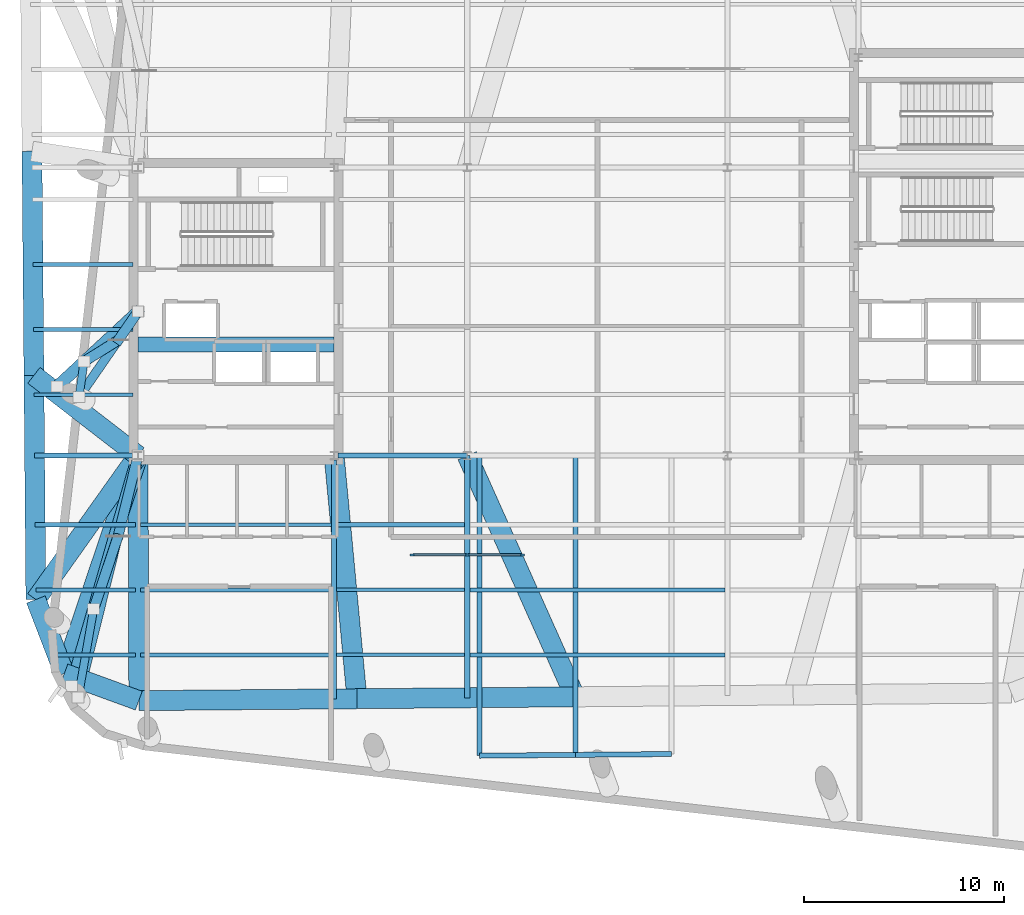
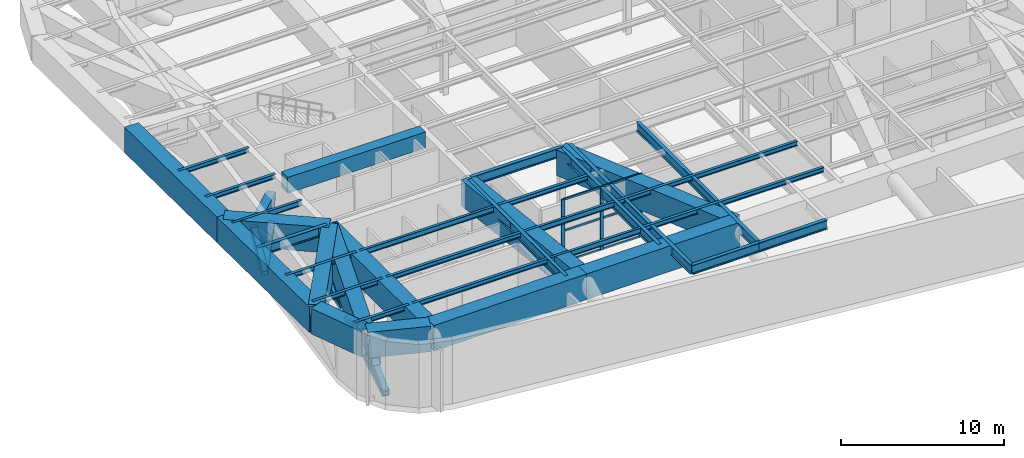
# One storey, part 3 of 12: 35 beams, 19 members, 1 element without a shape of its own.
"""IFC4 building model written with IfcOpenShell, lengths in metres."""

from ifc_helpers import new_model, si_unit, direction, frame, origin, origin_2d, place, context, subcontext, project, spatial, rectangle, hollow_rectangle, hollow_circle, i_section, extrude, material, material_profile, profile_set, type_object, element, aggregate, save


model = new_model("IFC4")

# Units and contexts
model_context = context("Model", 3, precision=1e-05, world=origin(), true_north=direction((0.0, 1.0)))
body_context = subcontext(model_context, "Body", "Model", "MODEL_VIEW")
ifc_project = project(units=[si_unit("LENGTHUNIT", "METRE"), si_unit("AREAUNIT", "SQUARE_METRE"), si_unit("VOLUMEUNIT", "CUBIC_METRE"), si_unit("PLANEANGLEUNIT", "RADIAN"), si_unit("MASSUNIT", "GRAM", prefix="KILO")], contexts=[model_context])

# Site, building, storey
site_placement = place(None, origin())
site = spatial("IfcSite", under=ifc_project, at=site_placement, CompositionType="ELEMENT")
building_placement = place(site_placement, origin())
building = spatial("IfcBuilding", under=site, at=building_placement, Name="Kolvaren Arena Tower", CompositionType="ELEMENT")
storey_placement = place(building_placement, frame((0.0, 0.0, 269.699951171875)))
storey = spatial("IfcBuildingStorey", under=building, at=storey_placement, Name="L66", CompositionType="ELEMENT", Elevation=269.699951171875)

# Beams
ifc_material_1 = material(Name="Steel CSA G40.21 350W", Category="steel")
ifc_material_profile_1 = material_profile(ifc_material_1, i_section(OverallWidth=0.180908203125, OverallDepth=0.4169921875, WebThickness=0.010986328125, FlangeThickness=0.018310546875, FilletRadius=0.011962890625, at=origin_2d()), Name="W410x85")
ifc_profile_set_1 = profile_set([ifc_material_profile_1], Name="Steel CSA G40.21 350W")
beam_type_1 = type_object("IfcBeamType", Name="BEAM-F3", PredefinedType="BEAM", material=ifc_profile_set_1)
for number, where, z_axis, x_axis, name in (
    (1, (24.4775390625, 9.5, 4.54150390625), (1.0, 0.0, 0.0), (0.0, 1.0, 0.0), "Composite Floor Beam (L66)"),
    (2, (24.4775390625, 12.75, 4.54150390625), (1.0, 0.0, 0.0), (0.0, 1.0, 0.0), "Composite Floor Beam (L66)"),
):
    element("IfcBeam", number, at=place(storey_placement, frame(where, z_axis=z_axis, x_axis=x_axis)), inside=storey, type_object=beam_type_1, Name=name, PredefinedType="BEAM", context=body_context, shape_type="SweptSolid", body=[
        extrude(i_section(OverallWidth=0.180908203125, OverallDepth=0.4169921875, WebThickness=0.010986328125, FlangeThickness=0.018310546875, FilletRadius=0.011962890625, at=origin_2d()), origin(), (0.0, 0.0, 1.0), 6.39501953125),
    ])
beam_1_placement = place(storey_placement, frame((14.677490234375, 16.0, 4.54150390625), z_axis=(1.0, 0.0, 0.0), x_axis=(0.0, 1.0, 0.0)))
element("IfcBeam", 3, at=beam_1_placement, inside=storey, type_object=beam_type_1, Name="Composite Floor Beam (L66)", PredefinedType="BEAM", context=body_context, shape_type="SweptSolid", body=[
    extrude(i_section(OverallWidth=0.180908203125, OverallDepth=0.4169921875, WebThickness=0.010986328125, FlangeThickness=0.018310546875, FilletRadius=0.011962890625, at=origin_2d()), origin(), (0.0, 0.0, 1.0), 9.544921875),
])
beam_2_placement = place(storey_placement, frame((9.3583984375, 22.5, 4.54150390625), z_axis=(1.0, 0.0, 0.0), x_axis=(0.0, 1.0, 0.0)))
element("IfcBeam", 4, at=beam_2_placement, inside=storey, type_object=beam_type_1, Name="Composite Floor Beam (L66)", PredefinedType="BEAM", context=body_context, shape_type="SweptSolid", body=[
    extrude(i_section(OverallWidth=0.180908203125, OverallDepth=0.4169921875, WebThickness=0.010986328125, FlangeThickness=0.018310546875, FilletRadius=0.011962890625, at=origin_2d()), origin(), (0.0, 0.0, 1.0), 4.946533203125),
])

# Members
ifc_material_2 = material(Name="Steel CSA G40.21 350WT", Category="steel")
ifc_material_profile_2 = material_profile(ifc_material_2, hollow_rectangle(XDim=0.449951171875, YDim=0.449951171875, WallThickness=0.02001953125, at=origin_2d()), Name="HSS 450x450x20")
ifc_profile_set_2 = profile_set([ifc_material_profile_2], Name="Steel CSA G40.21 350WT")
member_type_1 = type_object("IfcMemberType", Name="BELT-CHORD", PredefinedType="CHORD", material=ifc_profile_set_2)
member_1_placement = place(storey_placement, frame((14.550048828125, 19.449951171875, 0.35009765625), z_axis=(-0.240172582975, -0.970730204736, 0.0), x_axis=(0.970730204736, -0.240172582975, 0.0)))
element("IfcMember", 5, at=member_1_placement, inside=storey, type_object=member_type_1, Name="Belt Truss Bottom Chord 1 (L66)", PredefinedType="CHORD", context=body_context, shape_type="SweptSolid", body=[
    extrude(hollow_rectangle(XDim=0.449951171875, YDim=0.449951171875, WallThickness=0.02001953125, at=origin_2d()), origin(), (0.0, 0.0, 1.0), 12.450439453125),
])
member_2_placement = place(storey_placement, frame((14.550048828125, 26.64990234375, 0.35009765625), z_axis=(-0.568419713798, -0.82273873676, 0.0), x_axis=(0.82273873676, -0.568419713798, 0.0)))
element("IfcMember", 6, at=member_2_placement, inside=storey, type_object=member_type_1, Name="Belt Truss Bottom Chord 5 (L66)", PredefinedType="CHORD", context=body_context, shape_type="SweptSolid", body=[
    extrude(hollow_rectangle(XDim=0.449951171875, YDim=0.449951171875, WallThickness=0.02001953125, at=origin_2d()), origin(), (0.0, 0.0, 1.0), 5.190673828125),
])
ifc_material_profile_3 = material_profile(ifc_material_2, hollow_rectangle(XDim=0.39990234375, YDim=0.39990234375, WallThickness=0.01611328125, at=origin_2d()), Name="HSS 400x400x16")
ifc_profile_set_3 = profile_set([ifc_material_profile_3], Name="Steel CSA G40.21 350WT")
member_type_2 = type_object("IfcMemberType", Name="BELT-DIAG", PredefinedType="BRACE", material=ifc_profile_set_3)
member_3_placement = place(storey_placement, frame((12.334228515625, 11.78173828125, 2.47998046875), z_axis=(-0.155970890421, -0.8897519742, -0.428969119808), x_axis=(0.984980745857, -0.172664212537, 0.0)))
element("IfcMember", 7, at=member_3_placement, inside=storey, type_object=member_type_2, Name="Belt Truss Warren Diagonal C 1 (L66)", PredefinedType="BRACE", context=body_context, shape_type="SweptSolid", body=[
    extrude(hollow_rectangle(XDim=0.39990234375, YDim=0.39990234375, WallThickness=0.01611328125, at=origin_2d()), origin(), (0.0, 0.0, 1.0), 4.965087890625),
])
member_4_placement = place(storey_placement, frame((11.85693359375, 24.153564453125, 2.47998046875), z_axis=(-0.092431826141, -0.637288501485, -0.765061908209), x_axis=(0.989644904391, -0.143537323411, 0.0)))
element("IfcMember", 8, at=member_4_placement, inside=storey, type_object=member_type_2, Name="Belt Truss Warren Diagonal C 5 (L66)", PredefinedType="BRACE", context=body_context, shape_type="SweptSolid", body=[
    extrude(hollow_rectangle(XDim=0.39990234375, YDim=0.39990234375, WallThickness=0.01611328125, at=origin_2d()), origin(), (0.0, 0.0, 1.0), 2.783935546875),
])

# Beam
ifc_material_3 = material(Name="Concrete 60 MPa", Category="concrete")
ifc_material_profile_4 = material_profile(ifc_material_3, rectangle(XDim=0.75, YDim=1.199951171875, at=origin_2d()), Name="RC-750x1200")
ifc_profile_set_4 = profile_set([ifc_material_profile_4], Name="Concrete 60 MPa")
beam_type_2 = type_object("IfcBeamType", Name="CB-CORE-2", PredefinedType="BEAM", material=ifc_profile_set_4)
beam_3_placement = place(storey_placement, frame((14.550048828125, 25.0, 4.420166015625), z_axis=(1.0, 0.0, 0.0), x_axis=(0.0, 1.0, 0.0)))
element("IfcBeam", 9, at=beam_3_placement, inside=storey, type_object=beam_type_2, Name="West Core Coupling Beam (L66)", PredefinedType="BEAM", context=body_context, shape_type="SweptSolid", body=[
    extrude(rectangle(XDim=0.75, YDim=1.199951171875, at=origin_2d()), origin(), (0.0, 0.0, 1.0), 9.800048828125),
])

# Curtain wall, members
ifc_material_4 = material(Name="Anodised aluminium unitised curtain wall", Category="aluminium")
curtain_wall_type = type_object("IfcCurtainWallType", Name="CW-SYS-05", PredefinedType="USERDEFINED", material=ifc_material_4)
curtain_wall_placement = place(storey_placement, origin())
curtain_wall = element("IfcCurtainWall", 10, at=curtain_wall_placement, inside=storey, type_object=curtain_wall_type, Name="Mechanical Plant Louvre Curtain Wall (L66)", ObjectType="ACOUSTIC LOUVRE SCREEN", PredefinedType="USERDEFINED")
ifc_material_5 = material(Name="Anodised aluminium 6063-T6", Category="aluminium")
ifc_material_profile_5 = material_profile(ifc_material_5, rectangle(XDim=0.10009765625, YDim=0.239990234375, at=origin_2d()), Name="ALU-100x240")
ifc_profile_set_5 = profile_set([ifc_material_profile_5], Name="Anodised aluminium 6063-T6")
member_type_3 = type_object("IfcMemberType", Name="CWM-HVY", PredefinedType="MULLION", material=ifc_profile_set_5)
member_5_placement = place(storey_placement, frame((28.25, 14.5, 0.0), z_axis=(0.0, 0.0, 1.0), x_axis=(0.0, 1.0, 0.0)))
member_5 = element("IfcMember", 11, at=member_5_placement, type_object=member_type_3, Name="CW5 mullion 1", PredefinedType="MULLION", context=body_context, shape_type="SweptSolid", body=[
    extrude(rectangle(XDim=0.10009765625, YDim=0.239990234375, at=origin_2d()), origin(), (0.0, 0.0, 1.0), 4.75),
])
member_6_placement = place(storey_placement, frame((31.0, 14.5, 0.0), z_axis=(0.0, 0.0, 1.0), x_axis=(0.0, 1.0, 0.0)))
member_6 = element("IfcMember", 12, at=member_6_placement, type_object=member_type_3, Name="CW5 mullion 2", PredefinedType="MULLION", context=body_context, shape_type="SweptSolid", body=[
    extrude(rectangle(XDim=0.10009765625, YDim=0.239990234375, at=origin_2d()), origin(), (0.0, 0.0, 1.0), 4.75),
])
member_7_placement = place(storey_placement, frame((33.75, 14.5, 0.0), z_axis=(0.0, 0.0, 1.0), x_axis=(0.0, 1.0, 0.0)))
member_7 = element("IfcMember", 13, at=member_7_placement, type_object=member_type_3, Name="CW5 mullion 3", PredefinedType="MULLION", context=body_context, shape_type="SweptSolid", body=[
    extrude(rectangle(XDim=0.10009765625, YDim=0.239990234375, at=origin_2d()), origin(), (0.0, 0.0, 1.0), 4.75),
])
ifc_material_profile_6 = material_profile(ifc_material_5, rectangle(XDim=0.080078125, YDim=0.14990234375, at=origin_2d()), Name="ALU-80x150")
ifc_profile_set_6 = profile_set([ifc_material_profile_6], Name="Anodised aluminium 6063-T6")
member_type_4 = type_object("IfcMemberType", Name="CWT-STD", PredefinedType="USERDEFINED", material=ifc_profile_set_6)
member_8_placement = place(storey_placement, frame((28.300048828125, 14.5, 0.0400390625), z_axis=(1.0, 0.0, 0.0), x_axis=(0.0, 1.0, 0.0)))
member_8 = element("IfcMember", 14, at=member_8_placement, type_object=member_type_4, Name="CW5 transom 1.1", ObjectType="TRANSOM", PredefinedType="USERDEFINED", context=body_context, shape_type="SweptSolid", body=[
    extrude(rectangle(XDim=0.080078125, YDim=0.14990234375, at=origin_2d()), origin(), (0.0, 0.0, 1.0), 2.64990234375),
])
member_9_placement = place(storey_placement, frame((28.300048828125, 14.5, 2.375), z_axis=(1.0, 0.0, 0.0), x_axis=(0.0, 1.0, 0.0)))
member_9 = element("IfcMember", 15, at=member_9_placement, type_object=member_type_4, Name="CW5 transom 1.2", ObjectType="TRANSOM", PredefinedType="USERDEFINED", context=body_context, shape_type="SweptSolid", body=[
    extrude(rectangle(XDim=0.080078125, YDim=0.14990234375, at=origin_2d()), origin(), (0.0, 0.0, 1.0), 2.64990234375),
])
member_10_placement = place(storey_placement, frame((28.300048828125, 14.5, 4.7099609375), z_axis=(1.0, 0.0, 0.0), x_axis=(0.0, 1.0, 0.0)))
member_10 = element("IfcMember", 16, at=member_10_placement, type_object=member_type_4, Name="CW5 transom 1.3", ObjectType="TRANSOM", PredefinedType="USERDEFINED", context=body_context, shape_type="SweptSolid", body=[
    extrude(rectangle(XDim=0.080078125, YDim=0.14990234375, at=origin_2d()), origin(), (0.0, 0.0, 1.0), 2.64990234375),
])
member_11_placement = place(storey_placement, frame((31.050048828125, 14.5, 0.0400390625), z_axis=(1.0, 0.0, 0.0), x_axis=(0.0, 1.0, 0.0)))
member_11 = element("IfcMember", 17, at=member_11_placement, type_object=member_type_4, Name="CW5 transom 2.1", ObjectType="TRANSOM", PredefinedType="USERDEFINED", context=body_context, shape_type="SweptSolid", body=[
    extrude(rectangle(XDim=0.080078125, YDim=0.14990234375, at=origin_2d()), origin(), (0.0, 0.0, 1.0), 2.64990234375),
])
member_12_placement = place(storey_placement, frame((31.050048828125, 14.5, 2.375), z_axis=(1.0, 0.0, 0.0), x_axis=(0.0, 1.0, 0.0)))
member_12 = element("IfcMember", 18, at=member_12_placement, type_object=member_type_4, Name="CW5 transom 2.2", ObjectType="TRANSOM", PredefinedType="USERDEFINED", context=body_context, shape_type="SweptSolid", body=[
    extrude(rectangle(XDim=0.080078125, YDim=0.14990234375, at=origin_2d()), origin(), (0.0, 0.0, 1.0), 2.64990234375),
])
member_13_placement = place(storey_placement, frame((31.050048828125, 14.5, 4.7099609375), z_axis=(1.0, 0.0, 0.0), x_axis=(0.0, 1.0, 0.0)))
member_13 = element("IfcMember", 19, at=member_13_placement, type_object=member_type_4, Name="CW5 transom 2.3", ObjectType="TRANSOM", PredefinedType="USERDEFINED", context=body_context, shape_type="SweptSolid", body=[
    extrude(rectangle(XDim=0.080078125, YDim=0.14990234375, at=origin_2d()), origin(), (0.0, 0.0, 1.0), 2.64990234375),
])
aggregate(curtain_wall, [member_5, member_6, member_7, member_8, member_9, member_10, member_11, member_12, member_13])

# Members
ifc_material_profile_7 = material_profile(ifc_material_2, hollow_circle(Radius=0.25390625, WallThickness=0.02490234375, at=origin_2d()), Name="CHS 508x25")
ifc_profile_set_7 = profile_set([ifc_material_profile_7], Name="Steel CSA G40.21 350WT")
member_type_5 = type_object("IfcMemberType", Name="EXO-BRACE1", PredefinedType="BRACE", material=ifc_profile_set_7)
member_14_placement = place(storey_placement, frame((13.55322265625, 15.42138671875, 0.35009765625), z_axis=(-0.27769474052, -0.829135427933, 0.48520106475), x_axis=(0.948230731649, -0.317582240617, 0.0)))
element("IfcMember", 20, at=member_14_placement, inside=storey, type_object=member_type_5, Name="Outrigger Warren Diagonal B 1 (L66)", PredefinedType="BRACE", context=body_context, shape_type="SweptSolid", body=[
    extrude(hollow_circle(Radius=0.25390625, WallThickness=0.02490234375, at=origin_2d()), origin(), (0.0, 0.0, 1.0), 4.3896484375),
])
member_15_placement = place(storey_placement, frame((13.56640625, 25.2265625, 0.35009765625), z_axis=(-0.58258596603, -0.365676281163, 0.725861177898), x_axis=(0.531628910892, -0.846977391141, 0.0)))
element("IfcMember", 21, at=member_15_placement, inside=storey, type_object=member_type_5, Name="Outrigger Warren Diagonal B 5 (L66)", PredefinedType="BRACE", context=body_context, shape_type="SweptSolid", body=[
    extrude(hollow_circle(Radius=0.25390625, WallThickness=0.02490234375, at=origin_2d()), origin(), (0.0, 0.0, 1.0), 2.934326171875),
])

# Beams
ifc_material_profile_8 = material_profile(ifc_material_1, i_section(OverallWidth=0.2548828125, OverallDepth=0.695068359375, WebThickness=0.01708984375, FlangeThickness=0.02978515625, FilletRadius=0.01611328125, at=origin_2d()), Name="W690x217")
ifc_profile_set_8 = profile_set([ifc_material_profile_8], Name="Steel CSA G40.21 350W")
beam_type_3 = type_object("IfcBeamType", Name="GIRD-T2", PredefinedType="BEAM", material=ifc_profile_set_8)
beam_4_placement = place(storey_placement, frame((9.385009765625, 19.449951171875, 4.402587890625), z_axis=(1.0, 0.0, 0.0), x_axis=(0.0, 1.0, 0.0)))
element("IfcBeam", 22, at=beam_4_placement, inside=storey, type_object=beam_type_3, Name="Primary Floor Girder (L66)", PredefinedType="BEAM", context=body_context, shape_type="SweptSolid", body=[
    extrude(i_section(OverallWidth=0.2548828125, OverallDepth=0.695068359375, WebThickness=0.01708984375, FlangeThickness=0.02978515625, FilletRadius=0.01611328125, at=origin_2d()), origin(), (0.0, 0.0, 1.0), 4.9599609375),
])
beam_5_placement = place(storey_placement, frame((24.554931640625, 19.449951171875, 4.402587890625), z_axis=(1.0, 0.0, 0.0), x_axis=(0.0, 1.0, 0.0)))
element("IfcBeam", 23, at=beam_5_placement, inside=storey, type_object=beam_type_3, Name="Primary Floor Girder (L66)", PredefinedType="BEAM", context=body_context, shape_type="SweptSolid", body=[
    extrude(i_section(OverallWidth=0.2548828125, OverallDepth=0.695068359375, WebThickness=0.01708984375, FlangeThickness=0.02978515625, FilletRadius=0.01611328125, at=origin_2d()), origin(), (0.0, 0.0, 1.0), 6.445068359375),
])
beam_6_placement = place(storey_placement, frame((24.35009765625, 7.295654296875, 4.402587890625), z_axis=(0.0, 1.0, 0.0), x_axis=(-1.0, 0.0, 0.0)))
element("IfcBeam", 24, at=beam_6_placement, inside=storey, type_object=beam_type_3, Name="Primary Floor Girder (L66)", PredefinedType="BEAM", context=body_context, shape_type="SweptSolid", body=[
    extrude(i_section(OverallWidth=0.2548828125, OverallDepth=0.695068359375, WebThickness=0.01708984375, FlangeThickness=0.02978515625, FilletRadius=0.01611328125, at=origin_2d()), origin(), (0.0, 0.0, 1.0), 11.949462890625),
])
beam_7_placement = place(storey_placement, frame((31.0, 7.353759765625, 4.402587890625), z_axis=(0.0, 1.0, 0.0), x_axis=(-1.0, 0.0, 0.0)))
element("IfcBeam", 25, at=beam_7_placement, inside=storey, type_object=beam_type_3, Name="Primary Floor Girder (L66)", PredefinedType="BEAM", context=body_context, shape_type="SweptSolid", body=[
    extrude(i_section(OverallWidth=0.2548828125, OverallDepth=0.695068359375, WebThickness=0.01708984375, FlangeThickness=0.02978515625, FilletRadius=0.01611328125, at=origin_2d()), origin(), (0.0, 0.0, 1.0), 12.09619140625),
])
beam_8_placement = place(storey_placement, frame((31.61669921875, 19.449951171875, 4.402587890625), z_axis=(0.0, -1.0, 0.0), x_axis=(1.0, 0.0, 0.0)))
element("IfcBeam", 26, at=beam_8_placement, inside=storey, type_object=beam_type_3, Name="Terrace Cantilever Support Girder (L67)", PredefinedType="BEAM", context=body_context, shape_type="SweptSolid", body=[
    extrude(i_section(OverallWidth=0.2548828125, OverallDepth=0.695068359375, WebThickness=0.01708984375, FlangeThickness=0.02978515625, FilletRadius=0.01611328125, at=origin_2d()), origin(), (0.0, 0.0, 1.0), 14.990966796875),
])
beam_9_placement = place(storey_placement, frame((36.41650390625, 19.449951171875, 4.402587890625), z_axis=(0.0, -1.0, 0.0), x_axis=(1.0, 0.0, 0.0)))
element("IfcBeam", 27, at=beam_9_placement, inside=storey, type_object=beam_type_3, Name="Terrace Cantilever Support Girder (L67)", PredefinedType="BEAM", context=body_context, shape_type="SweptSolid", body=[
    extrude(i_section(OverallWidth=0.2548828125, OverallDepth=0.695068359375, WebThickness=0.01708984375, FlangeThickness=0.02978515625, FilletRadius=0.01611328125, at=origin_2d()), origin(), (0.0, 0.0, 1.0), 14.948974609375),
])
for number, where, z_axis, x_axis, name in (
    (28, (31.61669921875, 4.458984375, 4.402587890625), (0.999961732073, 0.008748393587, 0.0), (-0.008748393587, 0.999961732073, 0.0), "Terrace Edge Fascia Beam (L67)"),
    (29, (36.41650390625, 4.5009765625, 4.402587890625), (0.99996217573, 0.008697534692, 0.0), (-0.008697534692, 0.99996217573, 0.0), "Terrace Edge Fascia Beam (L67)"),
):
    element("IfcBeam", number, at=place(storey_placement, frame(where, z_axis=z_axis, x_axis=x_axis)), inside=storey, type_object=beam_type_3, Name=name, PredefinedType="BEAM", context=body_context, shape_type="SweptSolid", body=[
        extrude(i_section(OverallWidth=0.2548828125, OverallDepth=0.695068359375, WebThickness=0.01708984375, FlangeThickness=0.02978515625, FilletRadius=0.01611328125, at=origin_2d()), origin(), (0.0, 0.0, 1.0), 4.800048828125),
    ])
ifc_material_profile_9 = material_profile(ifc_material_1, i_section(OverallWidth=0.202880859375, OverallDepth=0.346923828125, WebThickness=0.0078125, FlangeThickness=0.013427734375, FilletRadius=0.010986328125, at=origin_2d()), Name="W360x64")
ifc_profile_set_9 = profile_set([ifc_material_profile_9], Name="Steel CSA G40.21 350W")
beam_type_4 = type_object("IfcBeamType", Name="JOIST-01", PredefinedType="JOIST", material=ifc_profile_set_9)
beam_10_placement = place(storey_placement, frame((10.5126953125, 9.5, 4.57666015625), z_axis=(1.0, 0.0, 0.0), x_axis=(0.0, 1.0, 0.0)))
element("IfcBeam", 30, at=beam_10_placement, inside=storey, type_object=beam_type_4, Name="Composite Floor Joist (L66)", PredefinedType="JOIST", context=body_context, shape_type="SweptSolid", body=[
    extrude(i_section(OverallWidth=0.202880859375, OverallDepth=0.346923828125, WebThickness=0.0078125, FlangeThickness=0.013427734375, FilletRadius=0.010986328125, at=origin_2d()), origin(), (0.0, 0.0, 1.0), 3.909912109375),
])
beam_11_placement = place(storey_placement, frame((14.677490234375, 9.5, 4.57666015625), z_axis=(1.0, 0.0, 0.0), x_axis=(0.0, 1.0, 0.0)))
element("IfcBeam", 31, at=beam_11_placement, inside=storey, type_object=beam_type_4, Name="Composite Floor Joist (L66)", PredefinedType="JOIST", context=body_context, shape_type="SweptSolid", body=[
    extrude(i_section(OverallWidth=0.202880859375, OverallDepth=0.346923828125, WebThickness=0.0078125, FlangeThickness=0.013427734375, FilletRadius=0.010986328125, at=origin_2d()), origin(), (0.0, 0.0, 1.0), 9.544921875),
])
beam_12_placement = place(storey_placement, frame((31.12744140625, 9.5, 4.57666015625), z_axis=(1.0, 0.0, 0.0), x_axis=(0.0, 1.0, 0.0)))
element("IfcBeam", 32, at=beam_12_placement, inside=storey, type_object=beam_type_4, Name="Composite Floor Joist (L66)", PredefinedType="JOIST", context=body_context, shape_type="SweptSolid", body=[
    extrude(i_section(OverallWidth=0.202880859375, OverallDepth=0.346923828125, WebThickness=0.0078125, FlangeThickness=0.013427734375, FilletRadius=0.010986328125, at=origin_2d()), origin(), (0.0, 0.0, 1.0), 12.7451171875),
])
beam_13_placement = place(storey_placement, frame((9.443359375, 12.75, 4.57666015625), z_axis=(1.0, 0.0, 0.0), x_axis=(0.0, 1.0, 0.0)))
element("IfcBeam", 33, at=beam_13_placement, inside=storey, type_object=beam_type_4, Name="Composite Floor Joist (L66)", PredefinedType="JOIST", context=body_context, shape_type="SweptSolid", body=[
    extrude(i_section(OverallWidth=0.202880859375, OverallDepth=0.346923828125, WebThickness=0.0078125, FlangeThickness=0.013427734375, FilletRadius=0.010986328125, at=origin_2d()), origin(), (0.0, 0.0, 1.0), 4.979248046875),
])
beam_14_placement = place(storey_placement, frame((14.677490234375, 12.75, 4.57666015625), z_axis=(1.0, 0.0, 0.0), x_axis=(0.0, 1.0, 0.0)))
element("IfcBeam", 34, at=beam_14_placement, inside=storey, type_object=beam_type_4, Name="Composite Floor Joist (L66)", PredefinedType="JOIST", context=body_context, shape_type="SweptSolid", body=[
    extrude(i_section(OverallWidth=0.202880859375, OverallDepth=0.346923828125, WebThickness=0.0078125, FlangeThickness=0.013427734375, FilletRadius=0.010986328125, at=origin_2d()), origin(), (0.0, 0.0, 1.0), 9.544921875),
])
beam_15_placement = place(storey_placement, frame((31.12744140625, 12.75, 4.57666015625), z_axis=(1.0, 0.0, 0.0), x_axis=(0.0, 1.0, 0.0)))
element("IfcBeam", 35, at=beam_15_placement, inside=storey, type_object=beam_type_4, Name="Composite Floor Joist (L66)", PredefinedType="JOIST", context=body_context, shape_type="SweptSolid", body=[
    extrude(i_section(OverallWidth=0.202880859375, OverallDepth=0.346923828125, WebThickness=0.0078125, FlangeThickness=0.013427734375, FilletRadius=0.010986328125, at=origin_2d()), origin(), (0.0, 0.0, 1.0), 12.7451171875),
])
beam_16_placement = place(storey_placement, frame((9.4150390625, 16.0, 4.57666015625), z_axis=(1.0, 0.0, 0.0), x_axis=(0.0, 1.0, 0.0)))
element("IfcBeam", 36, at=beam_16_placement, inside=storey, type_object=beam_type_4, Name="Composite Floor Joist (L66)", PredefinedType="JOIST", context=body_context, shape_type="SweptSolid", body=[
    extrude(i_section(OverallWidth=0.202880859375, OverallDepth=0.346923828125, WebThickness=0.0078125, FlangeThickness=0.013427734375, FilletRadius=0.010986328125, at=origin_2d()), origin(), (0.0, 0.0, 1.0), 5.007568359375),
])
beam_17_placement = place(storey_placement, frame((24.4775390625, 16.0, 4.57666015625), z_axis=(1.0, 0.0, 0.0), x_axis=(0.0, 1.0, 0.0)))
element("IfcBeam", 37, at=beam_17_placement, inside=storey, type_object=beam_type_4, Name="Composite Floor Joist (L66)", PredefinedType="JOIST", context=body_context, shape_type="SweptSolid", body=[
    extrude(i_section(OverallWidth=0.202880859375, OverallDepth=0.346923828125, WebThickness=0.0078125, FlangeThickness=0.013427734375, FilletRadius=0.010986328125, at=origin_2d()), origin(), (0.0, 0.0, 1.0), 6.39501953125),
])
beam_18_placement = place(storey_placement, frame((9.330078125, 25.75, 4.57666015625), z_axis=(1.0, 0.0, 0.0), x_axis=(0.0, 1.0, 0.0)))
element("IfcBeam", 38, at=beam_18_placement, inside=storey, type_object=beam_type_4, Name="Composite Floor Joist (L66)", PredefinedType="JOIST", context=body_context, shape_type="SweptSolid", body=[
    extrude(i_section(OverallWidth=0.202880859375, OverallDepth=0.346923828125, WebThickness=0.0078125, FlangeThickness=0.013427734375, FilletRadius=0.010986328125, at=origin_2d()), origin(), (0.0, 0.0, 1.0), 4.974853515625),
])
beam_19_placement = place(storey_placement, frame((9.301513671875, 29.0, 4.57666015625), z_axis=(1.0, 0.0, 0.0), x_axis=(0.0, 1.0, 0.0)))
element("IfcBeam", 39, at=beam_19_placement, inside=storey, type_object=beam_type_4, Name="Composite Floor Joist (L66)", PredefinedType="JOIST", context=body_context, shape_type="SweptSolid", body=[
    extrude(i_section(OverallWidth=0.202880859375, OverallDepth=0.346923828125, WebThickness=0.0078125, FlangeThickness=0.013427734375, FilletRadius=0.010986328125, at=origin_2d()), origin(), (0.0, 0.0, 1.0), 5.00341796875),
])

# Members
ifc_material_profile_10 = material_profile(ifc_material_2, hollow_rectangle(XDim=0.60009765625, YDim=0.60009765625, WallThickness=0.02490234375, at=origin_2d()), Name="HSS 600x600x25")
ifc_profile_set_10 = profile_set([ifc_material_profile_10], Name="Steel CSA G40.21 350WT")
member_type_6 = type_object("IfcMemberType", Name="OUT-CHORD", PredefinedType="CHORD", material=ifc_profile_set_10)
member_16_placement = place(storey_placement, frame((14.550048828125, 19.449951171875, 2.47998046875), z_axis=(-0.277582730163, -0.960701737229, 0.0), x_axis=(0.960701737229, -0.277582730163, 0.0)))
element("IfcMember", 40, at=member_16_placement, inside=storey, type_object=member_type_6, Name="Outrigger Top Chord 1 (L66)", PredefinedType="CHORD", context=body_context, shape_type="SweptSolid", body=[
    extrude(hollow_rectangle(XDim=0.60009765625, YDim=0.60009765625, WallThickness=0.02490234375, at=origin_2d()), origin(), (0.0, 0.0, 1.0), 11.972900390625),
])
member_17_placement = place(storey_placement, frame((14.550048828125, 26.64990234375, 2.47998046875), z_axis=(-0.733371007171, -0.679828629759, 0.0), x_axis=(0.679828629759, -0.733371007171, 0.0)))
element("IfcMember", 41, at=member_17_placement, inside=storey, type_object=member_type_6, Name="Outrigger Top Chord 5 (L66)", PredefinedType="CHORD", context=body_context, shape_type="SweptSolid", body=[
    extrude(hollow_rectangle(XDim=0.60009765625, YDim=0.60009765625, WallThickness=0.02490234375, at=origin_2d()), origin(), (0.0, 0.0, 1.0), 5.50830078125),
])
ifc_material_profile_11 = material_profile(ifc_material_2, hollow_rectangle(XDim=0.5, YDim=0.5, WallThickness=0.02197265625, at=origin_2d()), Name="HSS 500x500x22")
ifc_profile_set_11 = profile_set([ifc_material_profile_11], Name="Steel CSA G40.21 350WT")
member_type_7 = type_object("IfcMemberType", Name="OUT-DIAG", PredefinedType="BRACE", material=ifc_profile_set_11)
member_18_placement = place(storey_placement, frame((14.550048828125, 19.449951171875, 2.47998046875), z_axis=(-0.213695819537, -0.863628390445, -0.456596211032), x_axis=(0.970724501544, -0.24019563298, 0.0)))
element("IfcMember", 42, at=member_18_placement, inside=storey, type_object=member_type_7, Name="Outrigger Warren Diagonal A 1 (L66)", PredefinedType="BRACE", context=body_context, shape_type="SweptSolid", body=[
    extrude(hollow_rectangle(XDim=0.5, YDim=0.5, WallThickness=0.02197265625, at=origin_2d()), origin(), (0.0, 0.0, 1.0), 4.664794921875),
])
member_19_placement = place(storey_placement, frame((14.550048828125, 26.64990234375, 2.47998046875), z_axis=(-0.358462857107, -0.518699046148, -0.776180185008), x_axis=(0.822664340738, -0.568527380589, 0.0)))
element("IfcMember", 43, at=member_19_placement, inside=storey, type_object=member_type_7, Name="Outrigger Warren Diagonal A 5 (L66)", PredefinedType="BRACE", context=body_context, shape_type="SweptSolid", body=[
    extrude(hollow_rectangle(XDim=0.5, YDim=0.5, WallThickness=0.02197265625, at=origin_2d()), origin(), (0.0, 0.0, 1.0), 2.744140625),
])

# Beams
ifc_material_profile_12 = material_profile(ifc_material_2, hollow_rectangle(XDim=1.0, YDim=1.919921875, WallThickness=0.044921875, at=origin_2d()), Name="BOX 1000x1920x45")
ifc_profile_set_12 = profile_set([ifc_material_profile_12], Name="Steel CSA G40.21 350WT")
beam_type_5 = type_object("IfcBeamType", Name="TG-MEGA", PredefinedType="USERDEFINED", material=ifc_profile_set_12)
beam_20_placement = place(storey_placement, frame((14.591796875, 7.210693359375, 3.7900390625), z_axis=(0.999962042393, 0.008712851036, 0.0), x_axis=(-0.008712851036, 0.999962042393, 0.0)))
element("IfcBeam", 44, at=beam_20_placement, inside=storey, type_object=beam_type_5, Name="Perimeter Transfer Ring Girder 01 (L66)", ObjectType="TRANSFER GIRDER", PredefinedType="USERDEFINED", context=body_context, shape_type="SweptSolid", body=[
    extrude(hollow_rectangle(XDim=1.0, YDim=1.919921875, WallThickness=0.044921875, at=origin_2d()), origin(), (0.0, 0.0, 1.0), 10.900146484375),
])
beam_21_placement = place(storey_placement, frame((14.591796875, 7.210693359375, 3.7900390625), z_axis=(-0.00341097513, 0.999994182607, 0.0), x_axis=(-0.999994182607, -0.00341097513, 0.0)))
element("IfcBeam", 45, at=beam_21_placement, inside=storey, type_object=beam_type_5, Name="Cantilever Block Transfer Girder 01 (L66)", ObjectType="TRANSFER GIRDER", PredefinedType="USERDEFINED", context=body_context, shape_type="SweptSolid", body=[
    extrude(hollow_rectangle(XDim=1.0, YDim=1.919921875, WallThickness=0.044921875, at=origin_2d()), origin(), (0.0, 0.0, 1.0), 12.2392578125),
])
beam_22_placement = place(storey_placement, frame((25.491455078125, 7.3056640625, 3.7900390625), z_axis=(0.999961846999, 0.008735247404, 0.0), x_axis=(-0.008735247404, 0.999961846999, 0.0)))
element("IfcBeam", 46, at=beam_22_placement, inside=storey, type_object=beam_type_5, Name="Perimeter Transfer Ring Girder 02 (L66)", ObjectType="TRANSFER GIRDER", PredefinedType="USERDEFINED", context=body_context, shape_type="SweptSolid", body=[
    extrude(hollow_rectangle(XDim=1.0, YDim=1.919921875, WallThickness=0.044921875, at=origin_2d()), origin(), (0.0, 0.0, 1.0), 10.900146484375),
])
beam_23_placement = place(storey_placement, frame((25.491455078125, 7.3056640625, 3.7900390625), z_axis=(-0.093570734884, 0.995612634298, 0.0), x_axis=(-0.995612634298, -0.093570734884, 0.0)))
element("IfcBeam", 47, at=beam_23_placement, inside=storey, type_object=beam_type_5, Name="Cantilever Block Transfer Girder 02 (L66)", ObjectType="TRANSFER GIRDER", PredefinedType="USERDEFINED", context=body_context, shape_type="SweptSolid", body=[
    extrude(hollow_rectangle(XDim=1.0, YDim=1.919921875, WallThickness=0.044921875, at=origin_2d()), origin(), (0.0, 0.0, 1.0), 12.19775390625),
])
beam_24_placement = place(storey_placement, frame((36.39111328125, 7.40087890625, 3.7900390625), z_axis=(-0.408412697932, 0.912797386153, 0.0), x_axis=(-0.912797386153, -0.408412697932, 0.0)))
element("IfcBeam", 48, at=beam_24_placement, inside=storey, type_object=beam_type_5, Name="Cantilever Block Transfer Girder 03 (L66)", ObjectType="TRANSFER GIRDER", PredefinedType="USERDEFINED", context=body_context, shape_type="SweptSolid", body=[
    extrude(hollow_rectangle(XDim=1.0, YDim=1.919921875, WallThickness=0.044921875, at=origin_2d()), origin(), (0.0, 0.0, 1.0), 13.2001953125),
])
beam_25_placement = place(storey_placement, frame((9.252197265625, 34.6650390625, 3.7900390625), z_axis=(0.008719394723, -0.999961985355, 0.0), x_axis=(0.999961985355, 0.008719394723, 0.0)))
element("IfcBeam", 49, at=beam_25_placement, inside=storey, type_object=beam_type_5, Name="Perimeter Transfer Ring Girder 19 (L66)", ObjectType="TRANSFER GIRDER", PredefinedType="USERDEFINED", context=body_context, shape_type="SweptSolid", body=[
    extrude(hollow_rectangle(XDim=1.0, YDim=1.919921875, WallThickness=0.044921875, at=origin_2d()), origin(), (0.0, 0.0, 1.0), 11.199951171875),
])
beam_26_placement = place(storey_placement, frame((9.349853515625, 23.465576171875, 3.7900390625), z_axis=(0.008719204665, -0.999961987013, 0.0), x_axis=(0.999961987013, 0.008719204665, 0.0)))
element("IfcBeam", 50, at=beam_26_placement, inside=storey, type_object=beam_type_5, Name="Perimeter Transfer Ring Girder 20 (L66)", ObjectType="TRANSFER GIRDER", PredefinedType="USERDEFINED", context=body_context, shape_type="SweptSolid", body=[
    extrude(hollow_rectangle(XDim=1.0, YDim=1.919921875, WallThickness=0.044921875, at=origin_2d()), origin(), (0.0, 0.0, 1.0), 11.2001953125),
])
beam_27_placement = place(storey_placement, frame((9.349853515625, 23.465576171875, 3.7900390625), z_axis=(0.791484357863, -0.611189423386, 0.0), x_axis=(0.611189423386, 0.791484357863, 0.0)))
element("IfcBeam", 51, at=beam_27_placement, inside=storey, type_object=beam_type_5, Name="Cantilever Block Transfer Girder 20 (L66)", ObjectType="TRANSFER GIRDER", PredefinedType="USERDEFINED", context=body_context, shape_type="SweptSolid", body=[
    extrude(hollow_rectangle(XDim=1.0, YDim=1.919921875, WallThickness=0.044921875, at=origin_2d()), origin(), (0.0, 0.0, 1.0), 6.570068359375),
])
beam_28_placement = place(storey_placement, frame((9.447509765625, 12.265869140625, 3.7900390625), z_axis=(0.359383792094, -0.933189846698, 0.0), x_axis=(0.933189846698, 0.359383792094, 0.0)))
element("IfcBeam", 52, at=beam_28_placement, inside=storey, type_object=beam_type_5, Name="Perimeter Transfer Ring Girder 21 (L66)", ObjectType="TRANSFER GIRDER", PredefinedType="USERDEFINED", context=body_context, shape_type="SweptSolid", body=[
    extrude(hollow_rectangle(XDim=1.0, YDim=1.919921875, WallThickness=0.044921875, at=origin_2d()), origin(), (0.0, 0.0, 1.0), 3.961181640625),
])
beam_29_placement = place(storey_placement, frame((9.447509765625, 12.265869140625, 3.7900390625), z_axis=(0.579060801173, 0.815284360542, 0.0), x_axis=(-0.815284360542, 0.579060801173, 0.0)))
element("IfcBeam", 53, at=beam_29_placement, inside=storey, type_object=beam_type_5, Name="Cantilever Block Transfer Girder 21 (L66)", ObjectType="TRANSFER GIRDER", PredefinedType="USERDEFINED", context=body_context, shape_type="SweptSolid", body=[
    extrude(hollow_rectangle(XDim=1.0, YDim=1.919921875, WallThickness=0.044921875, at=origin_2d()), origin(), (0.0, 0.0, 1.0), 8.811767578125),
])
beam_30_placement = place(storey_placement, frame((10.87109375, 8.5693359375, 3.7900390625), z_axis=(0.939333679924, -0.343004719736, 0.0), x_axis=(0.343004719736, 0.939333679924, 0.0)))
element("IfcBeam", 54, at=beam_30_placement, inside=storey, type_object=beam_type_5, Name="Perimeter Transfer Ring Girder 22 (L66)", ObjectType="TRANSFER GIRDER", PredefinedType="USERDEFINED", context=body_context, shape_type="SweptSolid", body=[
    extrude(hollow_rectangle(XDim=1.0, YDim=1.919921875, WallThickness=0.044921875, at=origin_2d()), origin(), (0.0, 0.0, 1.0), 3.9609375),
])
beam_31_placement = place(storey_placement, frame((10.87109375, 8.5693359375, 3.7900390625), z_axis=(0.320305983216, 0.94731413856, 0.0), x_axis=(-0.94731413856, 0.320305983216, 0.0)))
element("IfcBeam", 55, at=beam_31_placement, inside=storey, type_object=beam_type_5, Name="Cantilever Block Transfer Girder 22 (L66)", ObjectType="TRANSFER GIRDER", PredefinedType="USERDEFINED", context=body_context, shape_type="SweptSolid", body=[
    extrude(hollow_rectangle(XDim=1.0, YDim=1.919921875, WallThickness=0.044921875, at=origin_2d()), origin(), (0.0, 0.0, 1.0), 11.48583984375),
])

save(model, "model.ifc")
